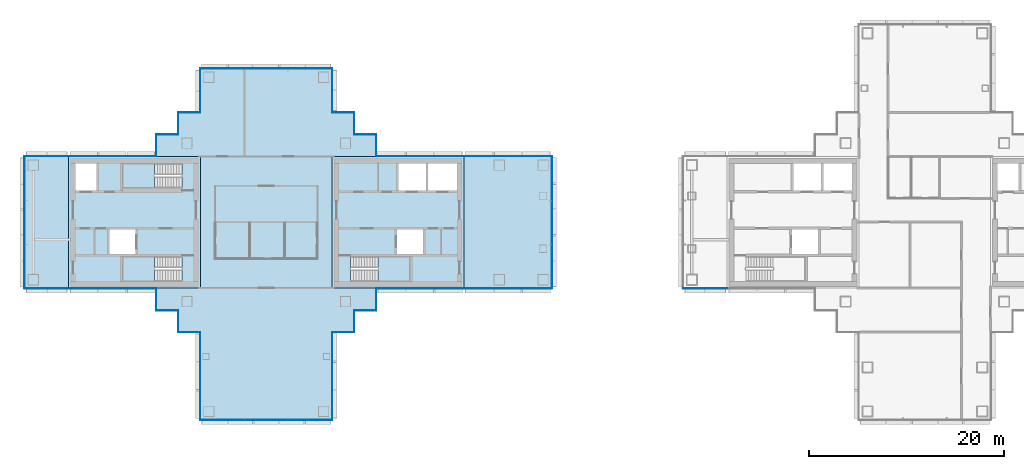
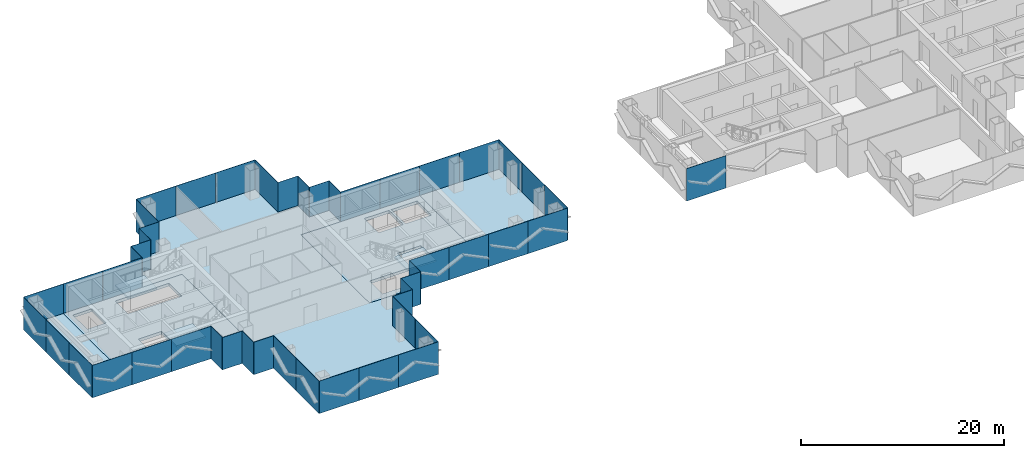
# One storey, part 7 of 16: 49 plates, 8 slabs, 24 elements without a shape of their own.
"""IFC4 building model written with IfcOpenShell, lengths in metres."""

from ifc_helpers import new_model, si_unit, direction, frame, origin, origin_2d, place, context, subcontext, project, spatial, polyline, rectangle, outline, extrude, material, layer, layer_set, type_object, element, aggregate, save


model = new_model("IFC4")

# Units and contexts
model_context = context("Model", 3, precision=1e-05, world=origin(), true_north=direction((0.0, 1.0)))
body_context = subcontext(model_context, "Body", "Model", "MODEL_VIEW")
ifc_project = project(units=[si_unit("LENGTHUNIT", "METRE"), si_unit("AREAUNIT", "SQUARE_METRE"), si_unit("VOLUMEUNIT", "CUBIC_METRE"), si_unit("PLANEANGLEUNIT", "RADIAN"), si_unit("MASSUNIT", "GRAM", prefix="KILO")], contexts=[model_context])

# Site, building, storey
site_placement = place(None, origin())
site = spatial("IfcSite", under=ifc_project, at=site_placement, CompositionType="ELEMENT")
building_placement = place(site_placement, origin())
building = spatial("IfcBuilding", under=site, at=building_placement, Name="Shamsa Quay Exchange Towers", CompositionType="ELEMENT")
storey_placement = place(building_placement, frame((0.0, 0.0, 166.199951171875)))
storey = spatial("IfcBuildingStorey", under=building, at=storey_placement, Name="L39", CompositionType="ELEMENT", Elevation=166.199951171875)

# Slabs
ifc_material_1 = material(Name="Concrete C50/60", Category="concrete")
ifc_layer_1 = layer(ifc_material_1, 0.35009765625)
ifc_layer_set_1 = layer_set([ifc_layer_1], Name="CORE FLOOR 350 C50/60")
slab_type_1 = type_object("IfcSlabType", Name="CORE FLOOR 350 C50/60", PredefinedType="FLOOR", material=ifc_layer_set_1)
slab_1_placement = place(storey_placement, frame((0.0, 0.0, -0.349853515625)))
element("IfcSlab", 1, at=slab_1_placement, inside=storey, type_object=slab_type_1, Name="Core floor T1A", PredefinedType="FLOOR", context=body_context, shape_type="SweptSolid", body=[
    extrude(outline(polyline([(-27.0, -6.75), (-13.5, -6.75), (-13.5, 6.75), (-27.0, 6.75), (-27.0, -6.75)]), holes=[polyline([(-25.099365234375, -6.050048828125), (-25.099365234375, -3.5), (-19.0, -3.5), (-19.0, -6.050048828125), (-25.099365234375, -6.050048828125)]), polyline([(-20.199951171875, 3.25), (-20.199951171875, 6.050048828125), (-17.39990234375, 6.050048828125), (-17.39990234375, 3.25), (-20.199951171875, 3.25)]), polyline([(-17.14990234375, 3.25), (-17.14990234375, 6.050048828125), (-14.199951171875, 6.050048828125), (-14.199951171875, 3.25), (-17.14990234375, 3.25)]), polyline([(-20.35009765625, -3.25), (-20.35009765625, -0.75), (-17.699951171875, -0.75), (-17.699951171875, -3.25), (-20.35009765625, -3.25)])]), origin(), (0.0, 0.0, 1.0), 0.349853515625),
])
slab_2_placement = place(storey_placement, frame((0.0, 0.0, -0.349853515625)))
element("IfcSlab", 2, at=slab_2_placement, inside=storey, type_object=slab_type_1, Name="Core floor T1B", PredefinedType="FLOOR", context=body_context, shape_type="SweptSolid", body=[
    extrude(outline(polyline([(-40.5, -6.75), (-40.5, 6.75), (-54.0, 6.75), (-54.0, -6.75), (-40.5, -6.75)]), holes=[polyline([(-42.400634765625, -3.5), (-42.400634765625, -6.050048828125), (-48.5, -6.050048828125), (-48.5, -3.5), (-42.400634765625, -3.5)]), polyline([(-42.400634765625, 6.050048828125), (-42.400634765625, 3.5), (-48.5, 3.5), (-48.5, 6.050048828125), (-42.400634765625, 6.050048828125)]), polyline([(-51.14990234375, 3.25), (-53.300048828125, 3.25), (-53.300048828125, 6.050048828125), (-51.14990234375, 6.050048828125), (-51.14990234375, 3.25)]), polyline([(-47.14990234375, -3.25), (-49.800048828125, -3.25), (-49.800048828125, -0.75), (-47.14990234375, -0.75), (-47.14990234375, -3.25)])]), origin(), (0.0, 0.0, 1.0), 0.349853515625),
])

# Stair, slab
ifc_material_2 = material(Name="Concrete C40/50", Category="concrete")
stair_type = type_object("IfcStairType", Name="EXIT STAIR 22 RISERS 177 MM", PredefinedType="HALF_TURN_STAIR", material=ifc_material_2)
stair_1_placement = place(storey_placement, origin())
stair_1 = element("IfcStair", 3, at=stair_1_placement, inside=storey, type_object=stair_type, Name="L39 Exit stair ST1", PredefinedType="HALF_TURN_STAIR")
ifc_layer_2 = layer(ifc_material_2, 0.199951171875)
ifc_layer_set_2 = layer_set([ifc_layer_2], Name="CORE STAIR LANDING")
slab_type_2 = type_object("IfcSlabType", Name="CORE STAIR LANDING", PredefinedType="LANDING", material=ifc_layer_set_2)
slab_3_placement = place(storey_placement, frame((0.0, 0.0, 1.75)))
slab_3 = element("IfcSlab", 4, at=slab_3_placement, type_object=slab_type_2, Name="ST1 landing 1", PredefinedType="LANDING", context=body_context, shape_type="SweptSolid", body=[
    extrude(outline(polyline([(-22.300048828125, -6.050048828125), (-19.0, -6.050048828125), (-19.0, -3.5), (-22.300048828125, -3.5), (-22.300048828125, -6.050048828125)])), origin(), (0.0, 0.0, 1.0), 0.199951171875),
])
aggregate(stair_1, [slab_3])

stair_2_placement = place(storey_placement, origin())
stair_2 = element("IfcStair", 5, at=stair_2_placement, inside=storey, type_object=stair_type, Name="L39 Exit stair ST2", PredefinedType="HALF_TURN_STAIR")
slab_4_placement = place(storey_placement, frame((0.0, 0.0, 1.75)))
slab_4 = element("IfcSlab", 6, at=slab_4_placement, type_object=slab_type_2, Name="ST2 landing 1", PredefinedType="LANDING", context=body_context, shape_type="SweptSolid", body=[
    extrude(outline(polyline([(-45.199951171875, -3.5), (-48.5, -3.5), (-48.5, -6.050048828125), (-45.199951171875, -6.050048828125), (-45.199951171875, -3.5)])), origin(), (0.0, 0.0, 1.0), 0.199951171875),
])
aggregate(stair_2, [slab_4])

stair_3_placement = place(storey_placement, origin())
stair_3 = element("IfcStair", 7, at=stair_3_placement, inside=storey, type_object=stair_type, Name="L39 Exit stair ST3", PredefinedType="HALF_TURN_STAIR")
slab_5_placement = place(storey_placement, frame((0.0, 0.0, 1.75)))
slab_5 = element("IfcSlab", 8, at=slab_5_placement, type_object=slab_type_2, Name="ST3 landing 1", PredefinedType="LANDING", context=body_context, shape_type="SweptSolid", body=[
    extrude(outline(polyline([(-45.199951171875, 6.050048828125), (-48.5, 6.050048828125), (-48.5, 3.5), (-45.199951171875, 3.5), (-45.199951171875, 6.050048828125)])), origin(), (0.0, 0.0, 1.0), 0.199951171875),
])
aggregate(stair_3, [slab_5])

# Curtain wall, plates
ifc_material_3 = material(Name="Aluminium EN AW-6063 T6, black anodised", Category="aluminium")
ifc_layer_3 = layer(ifc_material_3, 0.280029296875)
ifc_layer_set_3 = layer_set([ifc_layer_3], Name="CW-1 UNITISED VISION GLASS")
curtain_wall_type_1 = type_object("IfcCurtainWallType", Name="CW-1 UNITISED VISION GLASS", PredefinedType="NOTDEFINED", material=ifc_layer_set_3)
curtain_wall_1_placement = place(storey_placement, origin())
curtain_wall_1 = element("IfcCurtainWall", 9, at=curtain_wall_1_placement, inside=storey, type_object=curtain_wall_type_1, Name="CW1 T1-FLK-V-W L39", PredefinedType="NOTDEFINED")
ifc_material_4 = material(Name="Glass, laminated, dark tinted", Category="glass")
ifc_layer_4 = layer(ifc_material_4, 0.0400390625)
ifc_layer_set_4 = layer_set([ifc_layer_4], Name="CW-1 VISION GLASS 40")
plate_type_1 = type_object("IfcPlateType", Name="CW-1 VISION GLASS 40", PredefinedType="CURTAIN_PANEL", material=ifc_layer_set_4)
plate_1_placement = place(storey_placement, frame((-40.52001953125, -13.52587890625, -0.349853515625), z_axis=(0.0, 0.0, 1.0), x_axis=(0.0, -1.0, 0.0)))
plate_1 = element("IfcPlate", 10, at=plate_1_placement, type_object=plate_type_1, Name="CW1 glass panel", PredefinedType="CURTAIN_PANEL", context=body_context, shape_type="SweptSolid", body=[
    extrude(rectangle(XDim=4.47607421875, YDim=0.0400390625, at=origin_2d()), origin(), (0.0, 0.0, 1.0), 3.89990234375),
])
plate_2_placement = place(storey_placement, frame((-40.52001953125, -18.011962890625, -0.349853515625), z_axis=(0.0, 0.0, 1.0), x_axis=(0.0, -1.0, 0.0)))
plate_2 = element("IfcPlate", 11, at=plate_2_placement, type_object=plate_type_1, Name="CW1 glass panel", PredefinedType="CURTAIN_PANEL", context=body_context, shape_type="SweptSolid", body=[
    extrude(rectangle(XDim=4.47607421875, YDim=0.0400390625, at=origin_2d()), origin(), (0.0, 0.0, 1.0), 3.89990234375),
])
aggregate(curtain_wall_1, [plate_1, plate_2])

curtain_wall_2_placement = place(storey_placement, origin())
curtain_wall_2 = element("IfcCurtainWall", 12, at=curtain_wall_2_placement, inside=storey, type_object=curtain_wall_type_1, Name="CW1 T1-END-V- L39", PredefinedType="NOTDEFINED")
plate_3_placement = place(storey_placement, frame((-38.25244140625, -20.27001953125, -0.349853515625)))
plate_3 = element("IfcPlate", 13, at=plate_3_placement, type_object=plate_type_1, Name="CW1 glass panel", PredefinedType="CURTAIN_PANEL", context=body_context, shape_type="SweptSolid", body=[
    extrude(rectangle(XDim=4.4951171875, YDim=0.0400390625, at=origin_2d()), origin(), (0.0, 0.0, 1.0), 3.89990234375),
])
plate_4_placement = place(storey_placement, frame((-33.75, -20.27001953125, -0.349853515625)))
plate_4 = element("IfcPlate", 14, at=plate_4_placement, type_object=plate_type_1, Name="CW1 glass panel", PredefinedType="CURTAIN_PANEL", context=body_context, shape_type="SweptSolid", body=[
    extrude(rectangle(XDim=4.489990234375, YDim=0.0400390625, at=origin_2d()), origin(), (0.0, 0.0, 1.0), 3.89990234375),
])
plate_5_placement = place(storey_placement, frame((-29.24755859375, -20.27001953125, -0.349853515625)))
plate_5 = element("IfcPlate", 15, at=plate_5_placement, type_object=plate_type_1, Name="CW1 glass panel", PredefinedType="CURTAIN_PANEL", context=body_context, shape_type="SweptSolid", body=[
    extrude(rectangle(XDim=4.4951171875, YDim=0.0400390625, at=origin_2d()), origin(), (0.0, 0.0, 1.0), 3.89990234375),
])
aggregate(curtain_wall_2, [plate_3, plate_4, plate_5])

curtain_wall_3_placement = place(storey_placement, origin())
curtain_wall_3 = element("IfcCurtainWall", 16, at=curtain_wall_3_placement, inside=storey, type_object=curtain_wall_type_1, Name="CW1 T1-FLK-V-E L39", PredefinedType="NOTDEFINED")
plate_6_placement = place(storey_placement, frame((-26.97998046875, -18.00244140625, -0.349853515625), z_axis=(0.0, 0.0, 1.0), x_axis=(0.0, 1.0, 0.0)))
plate_6 = element("IfcPlate", 17, at=plate_6_placement, type_object=plate_type_1, Name="CW1 glass panel", PredefinedType="CURTAIN_PANEL", context=body_context, shape_type="SweptSolid", body=[
    extrude(rectangle(XDim=4.4951171875, YDim=0.0400390625, at=origin_2d()), origin(), (0.0, 0.0, 1.0), 3.89990234375),
])
plate_7_placement = place(storey_placement, frame((-26.97998046875, -13.49755859375, -0.349853515625), z_axis=(0.0, 0.0, 1.0), x_axis=(0.0, 1.0, 0.0)))
plate_7 = element("IfcPlate", 18, at=plate_7_placement, type_object=plate_type_1, Name="CW1 glass panel", PredefinedType="CURTAIN_PANEL", context=body_context, shape_type="SweptSolid", body=[
    extrude(rectangle(XDim=4.4951171875, YDim=0.0400390625, at=origin_2d()), origin(), (0.0, 0.0, 1.0), 3.89990234375),
])
aggregate(curtain_wall_3, [plate_6, plate_7])

curtain_wall_4_placement = place(storey_placement, origin())
curtain_wall_4 = element("IfcCurtainWall", 19, at=curtain_wall_4_placement, inside=storey, type_object=curtain_wall_type_1, Name="CW1 T1-FLK-U+S L39", PredefinedType="NOTDEFINED")
plate_8_placement = place(storey_placement, frame((-11.25244140625, -6.77001953125, -0.349853515625)))
plate_8 = element("IfcPlate", 20, at=plate_8_placement, type_object=plate_type_1, Name="CW1 glass panel", PredefinedType="CURTAIN_PANEL", context=body_context, shape_type="SweptSolid", body=[
    extrude(rectangle(XDim=4.4951171875, YDim=0.0400390625, at=origin_2d()), origin(), (0.0, 0.0, 1.0), 3.89990234375),
])
plate_9_placement = place(storey_placement, frame((-6.74755859375, -6.77001953125, -0.349853515625)))
plate_9 = element("IfcPlate", 21, at=plate_9_placement, type_object=plate_type_1, Name="CW1 glass panel", PredefinedType="CURTAIN_PANEL", context=body_context, shape_type="SweptSolid", body=[
    extrude(rectangle(XDim=4.4951171875, YDim=0.0400390625, at=origin_2d()), origin(), (0.0, 0.0, 1.0), 3.89990234375),
])
aggregate(curtain_wall_4, [plate_8, plate_9])

curtain_wall_5_placement = place(storey_placement, origin())
curtain_wall_5 = element("IfcCurtainWall", 22, at=curtain_wall_5_placement, inside=storey, type_object=curtain_wall_type_1, Name="CW1 T1-END-U+ L39", PredefinedType="NOTDEFINED")
plate_10_placement = place(storey_placement, frame((-4.47998046875, -4.50244140625, -0.349853515625), z_axis=(0.0, 0.0, 1.0), x_axis=(0.0, 1.0, 0.0)))
plate_10 = element("IfcPlate", 23, at=plate_10_placement, type_object=plate_type_1, Name="CW1 glass panel", PredefinedType="CURTAIN_PANEL", context=body_context, shape_type="SweptSolid", body=[
    extrude(rectangle(XDim=4.4951171875, YDim=0.0400390625, at=origin_2d()), origin(), (0.0, 0.0, 1.0), 3.89990234375),
])
plate_11_placement = place(storey_placement, frame((-4.47998046875, 0.0, -0.349853515625), z_axis=(0.0, 0.0, 1.0), x_axis=(0.0, 1.0, 0.0)))
plate_11 = element("IfcPlate", 24, at=plate_11_placement, type_object=plate_type_1, Name="CW1 glass panel", PredefinedType="CURTAIN_PANEL", context=body_context, shape_type="SweptSolid", body=[
    extrude(rectangle(XDim=4.489990234375, YDim=0.0400390625, at=origin_2d()), origin(), (0.0, 0.0, 1.0), 3.89990234375),
])
plate_12_placement = place(storey_placement, frame((-4.47998046875, 4.50244140625, -0.349853515625), z_axis=(0.0, 0.0, 1.0), x_axis=(0.0, 1.0, 0.0)))
plate_12 = element("IfcPlate", 25, at=plate_12_placement, type_object=plate_type_1, Name="CW1 glass panel", PredefinedType="CURTAIN_PANEL", context=body_context, shape_type="SweptSolid", body=[
    extrude(rectangle(XDim=4.4951171875, YDim=0.0400390625, at=origin_2d()), origin(), (0.0, 0.0, 1.0), 3.89990234375),
])
aggregate(curtain_wall_5, [plate_10, plate_11, plate_12])

curtain_wall_6_placement = place(storey_placement, origin())
curtain_wall_6 = element("IfcCurtainWall", 26, at=curtain_wall_6_placement, inside=storey, type_object=curtain_wall_type_1, Name="CW1 T1-FLK-U+N L39", PredefinedType="NOTDEFINED")
plate_13_placement = place(storey_placement, frame((-6.74755859375, 6.77001953125, -0.349853515625), z_axis=(0.0, 0.0, 1.0), x_axis=(-1.0, 0.0, 0.0)))
plate_13 = element("IfcPlate", 27, at=plate_13_placement, type_object=plate_type_1, Name="CW1 glass panel", PredefinedType="CURTAIN_PANEL", context=body_context, shape_type="SweptSolid", body=[
    extrude(rectangle(XDim=4.4951171875, YDim=0.0400390625, at=origin_2d()), origin(), (0.0, 0.0, 1.0), 3.89990234375),
])
plate_14_placement = place(storey_placement, frame((-11.25244140625, 6.77001953125, -0.349853515625), z_axis=(0.0, 0.0, 1.0), x_axis=(-1.0, 0.0, 0.0)))
plate_14 = element("IfcPlate", 28, at=plate_14_placement, type_object=plate_type_1, Name="CW1 glass panel", PredefinedType="CURTAIN_PANEL", context=body_context, shape_type="SweptSolid", body=[
    extrude(rectangle(XDim=4.4951171875, YDim=0.0400390625, at=origin_2d()), origin(), (0.0, 0.0, 1.0), 3.89990234375),
])
aggregate(curtain_wall_6, [plate_13, plate_14])

# Curtain wall, plate
curtain_wall_7_placement = place(storey_placement, origin())
curtain_wall_7 = element("IfcCurtainWall", 29, at=curtain_wall_7_placement, inside=storey, type_object=curtain_wall_type_1, Name="CW1 T1-FLK-V+E L39", PredefinedType="NOTDEFINED")
plate_15_placement = place(storey_placement, frame((-26.97998046875, 13.51904296875, -0.349853515625), z_axis=(0.0, 0.0, 1.0), x_axis=(0.0, 1.0, 0.0)))
plate_15 = element("IfcPlate", 30, at=plate_15_placement, type_object=plate_type_1, Name="CW1 glass panel", PredefinedType="CURTAIN_PANEL", context=body_context, shape_type="SweptSolid", body=[
    extrude(rectangle(XDim=4.4619140625, YDim=0.0400390625, at=origin_2d()), origin(), (0.0, 0.0, 1.0), 3.89990234375),
])
aggregate(curtain_wall_7, [plate_15])

# Curtain wall, plates
curtain_wall_8_placement = place(storey_placement, origin())
curtain_wall_8 = element("IfcCurtainWall", 31, at=curtain_wall_8_placement, inside=storey, type_object=curtain_wall_type_1, Name="CW1 T1-END-V+ L39", PredefinedType="NOTDEFINED")
plate_16_placement = place(storey_placement, frame((-29.24755859375, 15.77001953125, -0.349853515625), z_axis=(0.0, 0.0, 1.0), x_axis=(-1.0, 0.0, 0.0)))
plate_16 = element("IfcPlate", 32, at=plate_16_placement, type_object=plate_type_1, Name="CW1 glass panel", PredefinedType="CURTAIN_PANEL", context=body_context, shape_type="SweptSolid", body=[
    extrude(rectangle(XDim=4.4951171875, YDim=0.0400390625, at=origin_2d()), origin(), (0.0, 0.0, 1.0), 3.89990234375),
])
plate_17_placement = place(storey_placement, frame((-33.75, 15.77001953125, -0.349853515625), z_axis=(0.0, 0.0, 1.0), x_axis=(-1.0, 0.0, 0.0)))
plate_17 = element("IfcPlate", 33, at=plate_17_placement, type_object=plate_type_1, Name="CW1 glass panel", PredefinedType="CURTAIN_PANEL", context=body_context, shape_type="SweptSolid", body=[
    extrude(rectangle(XDim=4.489990234375, YDim=0.0400390625, at=origin_2d()), origin(), (0.0, 0.0, 1.0), 3.89990234375),
])
plate_18_placement = place(storey_placement, frame((-38.25244140625, 15.77001953125, -0.349853515625), z_axis=(0.0, 0.0, 1.0), x_axis=(-1.0, 0.0, 0.0)))
plate_18 = element("IfcPlate", 34, at=plate_18_placement, type_object=plate_type_1, Name="CW1 glass panel", PredefinedType="CURTAIN_PANEL", context=body_context, shape_type="SweptSolid", body=[
    extrude(rectangle(XDim=4.4951171875, YDim=0.0400390625, at=origin_2d()), origin(), (0.0, 0.0, 1.0), 3.89990234375),
])
aggregate(curtain_wall_8, [plate_16, plate_17, plate_18])

# Curtain wall, plate
curtain_wall_9_placement = place(storey_placement, origin())
curtain_wall_9 = element("IfcCurtainWall", 35, at=curtain_wall_9_placement, inside=storey, type_object=curtain_wall_type_1, Name="CW1 T1-FLK-V+W L39", PredefinedType="NOTDEFINED")
plate_19_placement = place(storey_placement, frame((-40.52001953125, 13.5, -0.349853515625), z_axis=(0.0, 0.0, 1.0), x_axis=(0.0, -1.0, 0.0)))
plate_19 = element("IfcPlate", 36, at=plate_19_placement, type_object=plate_type_1, Name="CW1 glass panel", PredefinedType="CURTAIN_PANEL", context=body_context, shape_type="SweptSolid", body=[
    extrude(rectangle(XDim=4.5, YDim=0.0400390625, at=origin_2d()), origin(), (0.0, 0.0, 1.0), 3.89990234375),
])
aggregate(curtain_wall_9, [plate_19])

curtain_wall_10_placement = place(storey_placement, origin())
curtain_wall_10 = element("IfcCurtainWall", 37, at=curtain_wall_10_placement, inside=storey, type_object=curtain_wall_type_1, Name="CW1 T1-FLK-U-N L39", PredefinedType="NOTDEFINED")
plate_20_placement = place(storey_placement, frame((-56.25, 6.77001953125, -0.349853515625), z_axis=(0.0, 0.0, 1.0), x_axis=(-1.0, 0.0, 0.0)))
plate_20 = element("IfcPlate", 38, at=plate_20_placement, type_object=plate_type_1, Name="CW1 glass panel", PredefinedType="CURTAIN_PANEL", context=body_context, shape_type="SweptSolid", body=[
    extrude(rectangle(XDim=4.5, YDim=0.0400390625, at=origin_2d()), origin(), (0.0, 0.0, 1.0), 3.89990234375),
])
aggregate(curtain_wall_10, [plate_20])

# Curtain wall, plates
curtain_wall_11_placement = place(storey_placement, origin())
curtain_wall_11 = element("IfcCurtainWall", 39, at=curtain_wall_11_placement, inside=storey, type_object=curtain_wall_type_1, Name="CW1 T1-END-U- L39", PredefinedType="NOTDEFINED")
plate_21_placement = place(storey_placement, frame((-58.52001953125, 4.50244140625, -0.349853515625), z_axis=(0.0, 0.0, 1.0), x_axis=(0.0, -1.0, 0.0)))
plate_21 = element("IfcPlate", 40, at=plate_21_placement, type_object=plate_type_1, Name="CW1 glass panel", PredefinedType="CURTAIN_PANEL", context=body_context, shape_type="SweptSolid", body=[
    extrude(rectangle(XDim=4.4951171875, YDim=0.0400390625, at=origin_2d()), origin(), (0.0, 0.0, 1.0), 3.89990234375),
])
plate_22_placement = place(storey_placement, frame((-58.52001953125, 0.0, -0.349853515625), z_axis=(0.0, 0.0, 1.0), x_axis=(0.0, -1.0, 0.0)))
plate_22 = element("IfcPlate", 41, at=plate_22_placement, type_object=plate_type_1, Name="CW1 glass panel", PredefinedType="CURTAIN_PANEL", context=body_context, shape_type="SweptSolid", body=[
    extrude(rectangle(XDim=4.489990234375, YDim=0.0400390625, at=origin_2d()), origin(), (0.0, 0.0, 1.0), 3.89990234375),
])
plate_23_placement = place(storey_placement, frame((-58.52001953125, -4.50244140625, -0.349853515625), z_axis=(0.0, 0.0, 1.0), x_axis=(0.0, -1.0, 0.0)))
plate_23 = element("IfcPlate", 42, at=plate_23_placement, type_object=plate_type_1, Name="CW1 glass panel", PredefinedType="CURTAIN_PANEL", context=body_context, shape_type="SweptSolid", body=[
    extrude(rectangle(XDim=4.4951171875, YDim=0.0400390625, at=origin_2d()), origin(), (0.0, 0.0, 1.0), 3.89990234375),
])
aggregate(curtain_wall_11, [plate_21, plate_22, plate_23])

# Curtain wall, plate
curtain_wall_12_placement = place(storey_placement, origin())
curtain_wall_12 = element("IfcCurtainWall", 43, at=curtain_wall_12_placement, inside=storey, type_object=curtain_wall_type_1, Name="CW1 T1-FLK-U-S L39", PredefinedType="NOTDEFINED")
plate_24_placement = place(storey_placement, frame((-56.25, -6.77001953125, -0.349853515625)))
plate_24 = element("IfcPlate", 44, at=plate_24_placement, type_object=plate_type_1, Name="CW1 glass panel", PredefinedType="CURTAIN_PANEL", context=body_context, shape_type="SweptSolid", body=[
    extrude(rectangle(XDim=4.5, YDim=0.0400390625, at=origin_2d()), origin(), (0.0, 0.0, 1.0), 3.89990234375),
])
aggregate(curtain_wall_12, [plate_24])

curtain_wall_13_placement = place(storey_placement, origin())
curtain_wall_13 = element("IfcCurtainWall", 45, at=curtain_wall_13_placement, inside=storey, type_object=curtain_wall_type_1, Name="CW1 T2-FLK-V+W L39", PredefinedType="NOTDEFINED")
plate_25_placement = place(storey_placement, frame((11.25, -6.77001953125, -0.349853515625)))
plate_25 = element("IfcPlate", 46, at=plate_25_placement, type_object=plate_type_1, Name="CW1 glass panel", PredefinedType="CURTAIN_PANEL", context=body_context, shape_type="SweptSolid", body=[
    extrude(rectangle(XDim=4.5, YDim=0.0400390625, at=origin_2d()), origin(), (0.0, 0.0, 1.0), 3.89990234375),
])
aggregate(curtain_wall_13, [plate_25])

# Curtain wall, plates
ifc_layer_5 = layer(ifc_material_3, 0.303955078125)
ifc_layer_set_5 = layer_set([ifc_layer_5], Name="CW-2 UNITISED OPAQUE SPANDREL GLASS")
curtain_wall_type_2 = type_object("IfcCurtainWallType", Name="CW-2 UNITISED OPAQUE SPANDREL GLASS", PredefinedType="NOTDEFINED", material=ifc_layer_set_5)
curtain_wall_14_placement = place(storey_placement, origin())
curtain_wall_14 = element("IfcCurtainWall", 47, at=curtain_wall_14_placement, inside=storey, type_object=curtain_wall_type_2, Name="CW2 T1-FLK-U+S L39", PredefinedType="NOTDEFINED")
ifc_material_5 = material(Name="Glass, laminated, black enamelled opaque", Category="glass")
ifc_layer_6 = layer(ifc_material_5, 0.0439453125)
ifc_layer_set_6 = layer_set([ifc_layer_6], Name="CW-2 SPANDREL GLASS 44")
plate_type_2 = type_object("IfcPlateType", Name="CW-2 SPANDREL GLASS 44", PredefinedType="CURTAIN_PANEL", material=ifc_layer_set_6)
plate_26_placement = place(storey_placement, frame((-20.22412109375, -6.77197265625, -0.349853515625)))
plate_26 = element("IfcPlate", 48, at=plate_26_placement, type_object=plate_type_2, Name="CW2 glass panel", PredefinedType="CURTAIN_PANEL", context=body_context, shape_type="SweptSolid", body=[
    extrude(rectangle(XDim=4.47607421875, YDim=0.0439453125, at=origin_2d()), origin(), (0.0, 0.0, 1.0), 3.89990234375),
])
plate_27_placement = place(storey_placement, frame((-15.738037109375, -6.77197265625, -0.349853515625)))
plate_27 = element("IfcPlate", 49, at=plate_27_placement, type_object=plate_type_2, Name="CW2 glass panel", PredefinedType="CURTAIN_PANEL", context=body_context, shape_type="SweptSolid", body=[
    extrude(rectangle(XDim=4.47607421875, YDim=0.0439453125, at=origin_2d()), origin(), (0.0, 0.0, 1.0), 3.89990234375),
])
aggregate(curtain_wall_14, [plate_26, plate_27])

curtain_wall_15_placement = place(storey_placement, origin())
curtain_wall_15 = element("IfcCurtainWall", 50, at=curtain_wall_15_placement, inside=storey, type_object=curtain_wall_type_2, Name="CW2 T1-FLK-U+N L39", PredefinedType="NOTDEFINED")
plate_28_placement = place(storey_placement, frame((-15.74755859375, 6.77197265625, -0.349853515625), z_axis=(0.0, 0.0, 1.0), x_axis=(-1.0, 0.0, 0.0)))
plate_28 = element("IfcPlate", 51, at=plate_28_placement, type_object=plate_type_2, Name="CW2 glass panel", PredefinedType="CURTAIN_PANEL", context=body_context, shape_type="SweptSolid", body=[
    extrude(rectangle(XDim=4.4951171875, YDim=0.0439453125, at=origin_2d()), origin(), (0.0, 0.0, 1.0), 3.89990234375),
])
plate_29_placement = place(storey_placement, frame((-20.25244140625, 6.77197265625, -0.349853515625), z_axis=(0.0, 0.0, 1.0), x_axis=(-1.0, 0.0, 0.0)))
plate_29 = element("IfcPlate", 52, at=plate_29_placement, type_object=plate_type_2, Name="CW2 glass panel", PredefinedType="CURTAIN_PANEL", context=body_context, shape_type="SweptSolid", body=[
    extrude(rectangle(XDim=4.4951171875, YDim=0.0439453125, at=origin_2d()), origin(), (0.0, 0.0, 1.0), 3.89990234375),
])
aggregate(curtain_wall_15, [plate_28, plate_29])

curtain_wall_16_placement = place(storey_placement, origin())
curtain_wall_16 = element("IfcCurtainWall", 53, at=curtain_wall_16_placement, inside=storey, type_object=curtain_wall_type_2, Name="CW2 T1-FLK-U-N L39", PredefinedType="NOTDEFINED")
plate_30_placement = place(storey_placement, frame((-47.27587890625, 6.77197265625, -0.349853515625), z_axis=(0.0, 0.0, 1.0), x_axis=(-1.0, 0.0, 0.0)))
plate_30 = element("IfcPlate", 54, at=plate_30_placement, type_object=plate_type_2, Name="CW2 glass panel", PredefinedType="CURTAIN_PANEL", context=body_context, shape_type="SweptSolid", body=[
    extrude(rectangle(XDim=4.47607421875, YDim=0.0439453125, at=origin_2d()), origin(), (0.0, 0.0, 1.0), 3.89990234375),
])
plate_31_placement = place(storey_placement, frame((-51.761962890625, 6.77197265625, -0.349853515625), z_axis=(0.0, 0.0, 1.0), x_axis=(-1.0, 0.0, 0.0)))
plate_31 = element("IfcPlate", 55, at=plate_31_placement, type_object=plate_type_2, Name="CW2 glass panel", PredefinedType="CURTAIN_PANEL", context=body_context, shape_type="SweptSolid", body=[
    extrude(rectangle(XDim=4.47607421875, YDim=0.0439453125, at=origin_2d()), origin(), (0.0, 0.0, 1.0), 3.89990234375),
])
aggregate(curtain_wall_16, [plate_30, plate_31])

curtain_wall_17_placement = place(storey_placement, origin())
curtain_wall_17 = element("IfcCurtainWall", 56, at=curtain_wall_17_placement, inside=storey, type_object=curtain_wall_type_2, Name="CW2 T1-FLK-U-S L39", PredefinedType="NOTDEFINED")
plate_32_placement = place(storey_placement, frame((-51.75244140625, -6.77197265625, -0.349853515625)))
plate_32 = element("IfcPlate", 57, at=plate_32_placement, type_object=plate_type_2, Name="CW2 glass panel", PredefinedType="CURTAIN_PANEL", context=body_context, shape_type="SweptSolid", body=[
    extrude(rectangle(XDim=4.4951171875, YDim=0.0439453125, at=origin_2d()), origin(), (0.0, 0.0, 1.0), 3.89990234375),
])
plate_33_placement = place(storey_placement, frame((-47.24755859375, -6.77197265625, -0.349853515625)))
plate_33 = element("IfcPlate", 58, at=plate_33_placement, type_object=plate_type_2, Name="CW2 glass panel", PredefinedType="CURTAIN_PANEL", context=body_context, shape_type="SweptSolid", body=[
    extrude(rectangle(XDim=4.4951171875, YDim=0.0439453125, at=origin_2d()), origin(), (0.0, 0.0, 1.0), 3.89990234375),
])
aggregate(curtain_wall_17, [plate_32, plate_33])

ifc_layer_7 = layer(ifc_material_3, 0.256103515625)
ifc_layer_set_7 = layer_set([ifc_layer_7], Name="CW-4 POCKET SERRATED GLAZING")
curtain_wall_type_3 = type_object("IfcCurtainWallType", Name="CW-4 POCKET SERRATED GLAZING", PredefinedType="NOTDEFINED", material=ifc_layer_set_7)
curtain_wall_18_placement = place(storey_placement, origin())
curtain_wall_18 = element("IfcCurtainWall", 59, at=curtain_wall_18_placement, inside=storey, type_object=curtain_wall_type_3, Name="CW4 PKWS L39", PredefinedType="NOTDEFINED")
ifc_layer_8 = layer(ifc_material_4, 0.035888671875)
ifc_layer_set_8 = layer_set([ifc_layer_8], Name="CW-4 POCKET GLASS 36")
plate_type_3 = type_object("IfcPlateType", Name="CW-4 POCKET GLASS 36", PredefinedType="CURTAIN_PANEL", material=ifc_layer_set_8)
plate_34_placement = place(storey_placement, frame((-42.76806640625, -10.14404296875, -0.349853515625), z_axis=(0.0, 0.0, 1.0), x_axis=(0.0, -1.0, 0.0)))
plate_34 = element("IfcPlate", 60, at=plate_34_placement, type_object=plate_type_3, Name="CW4 glass panel", PredefinedType="CURTAIN_PANEL", context=body_context, shape_type="SweptSolid", body=[
    extrude(rectangle(XDim=2.2119140625, YDim=0.035888671875, at=origin_2d()), origin(), (0.0, 0.0, 1.0), 3.89990234375),
])
plate_35_placement = place(storey_placement, frame((-41.625, -11.26806640625, -0.349853515625)))
plate_35 = element("IfcPlate", 61, at=plate_35_placement, type_object=plate_type_3, Name="CW4 glass panel", PredefinedType="CURTAIN_PANEL", context=body_context, shape_type="SweptSolid", body=[
    extrude(rectangle(XDim=2.25, YDim=0.035888671875, at=origin_2d()), origin(), (0.0, 0.0, 1.0), 3.89990234375),
])
plate_36_placement = place(storey_placement, frame((-45.01806640625, -7.89794921875, -0.349853515625), z_axis=(0.0, 0.0, 1.0), x_axis=(0.0, -1.0, 0.0)))
plate_36 = element("IfcPlate", 62, at=plate_36_placement, type_object=plate_type_3, Name="CW4 glass panel", PredefinedType="CURTAIN_PANEL", context=body_context, shape_type="SweptSolid", body=[
    extrude(rectangle(XDim=2.2041015625, YDim=0.035888671875, at=origin_2d()), origin(), (0.0, 0.0, 1.0), 3.89990234375),
])
plate_37_placement = place(storey_placement, frame((-43.875, -9.01806640625, -0.349853515625)))
plate_37 = element("IfcPlate", 63, at=plate_37_placement, type_object=plate_type_3, Name="CW4 glass panel", PredefinedType="CURTAIN_PANEL", context=body_context, shape_type="SweptSolid", body=[
    extrude(rectangle(XDim=2.25, YDim=0.035888671875, at=origin_2d()), origin(), (0.0, 0.0, 1.0), 3.89990234375),
])
aggregate(curtain_wall_18, [plate_34, plate_35, plate_36, plate_37])

curtain_wall_19_placement = place(storey_placement, origin())
curtain_wall_19 = element("IfcCurtainWall", 64, at=curtain_wall_19_placement, inside=storey, type_object=curtain_wall_type_3, Name="CW4 PKES L39", PredefinedType="NOTDEFINED")
plate_38_placement = place(storey_placement, frame((-25.85400390625, -11.26806640625, -0.349853515625)))
plate_38 = element("IfcPlate", 65, at=plate_38_placement, type_object=plate_type_3, Name="CW4 glass panel", PredefinedType="CURTAIN_PANEL", context=body_context, shape_type="SweptSolid", body=[
    extrude(rectangle(XDim=2.2080078125, YDim=0.035888671875, at=origin_2d()), origin(), (0.0, 0.0, 1.0), 3.89990234375),
])
plate_39_placement = place(storey_placement, frame((-24.73193359375, -10.125, -0.349853515625), z_axis=(0.0, 0.0, 1.0), x_axis=(0.0, 1.0, 0.0)))
plate_39 = element("IfcPlate", 66, at=plate_39_placement, type_object=plate_type_3, Name="CW4 glass panel", PredefinedType="CURTAIN_PANEL", context=body_context, shape_type="SweptSolid", body=[
    extrude(rectangle(XDim=2.25, YDim=0.035888671875, at=origin_2d()), origin(), (0.0, 0.0, 1.0), 3.89990234375),
])
plate_40_placement = place(storey_placement, frame((-23.60595703125, -9.01806640625, -0.349853515625)))
plate_40 = element("IfcPlate", 67, at=plate_40_placement, type_object=plate_type_3, Name="CW4 glass panel", PredefinedType="CURTAIN_PANEL", context=body_context, shape_type="SweptSolid", body=[
    extrude(rectangle(XDim=2.2119140625, YDim=0.035888671875, at=origin_2d()), origin(), (0.0, 0.0, 1.0), 3.89990234375),
])
plate_41_placement = place(storey_placement, frame((-22.48193359375, -7.875, -0.349853515625), z_axis=(0.0, 0.0, 1.0), x_axis=(0.0, 1.0, 0.0)))
plate_41 = element("IfcPlate", 68, at=plate_41_placement, type_object=plate_type_3, Name="CW4 glass panel", PredefinedType="CURTAIN_PANEL", context=body_context, shape_type="SweptSolid", body=[
    extrude(rectangle(XDim=2.25, YDim=0.035888671875, at=origin_2d()), origin(), (0.0, 0.0, 1.0), 3.89990234375),
])
aggregate(curtain_wall_19, [plate_38, plate_39, plate_40, plate_41])

curtain_wall_20_placement = place(storey_placement, origin())
curtain_wall_20 = element("IfcCurtainWall", 69, at=curtain_wall_20_placement, inside=storey, type_object=curtain_wall_type_3, Name="CW4 PKEN L39", PredefinedType="NOTDEFINED")
plate_42_placement = place(storey_placement, frame((-22.48193359375, 7.89794921875, -0.349853515625), z_axis=(0.0, 0.0, 1.0), x_axis=(0.0, 1.0, 0.0)))
plate_42 = element("IfcPlate", 70, at=plate_42_placement, type_object=plate_type_3, Name="CW4 glass panel", PredefinedType="CURTAIN_PANEL", context=body_context, shape_type="SweptSolid", body=[
    extrude(rectangle(XDim=2.2041015625, YDim=0.035888671875, at=origin_2d()), origin(), (0.0, 0.0, 1.0), 3.89990234375),
])
plate_43_placement = place(storey_placement, frame((-23.625, 9.01806640625, -0.349853515625), z_axis=(0.0, 0.0, 1.0), x_axis=(-1.0, 0.0, 0.0)))
plate_43 = element("IfcPlate", 71, at=plate_43_placement, type_object=plate_type_3, Name="CW4 glass panel", PredefinedType="CURTAIN_PANEL", context=body_context, shape_type="SweptSolid", body=[
    extrude(rectangle(XDim=2.25, YDim=0.035888671875, at=origin_2d()), origin(), (0.0, 0.0, 1.0), 3.89990234375),
])
plate_44_placement = place(storey_placement, frame((-24.73193359375, 10.14404296875, -0.349853515625), z_axis=(0.0, 0.0, 1.0), x_axis=(0.0, 1.0, 0.0)))
plate_44 = element("IfcPlate", 72, at=plate_44_placement, type_object=plate_type_3, Name="CW4 glass panel", PredefinedType="CURTAIN_PANEL", context=body_context, shape_type="SweptSolid", body=[
    extrude(rectangle(XDim=2.2119140625, YDim=0.035888671875, at=origin_2d()), origin(), (0.0, 0.0, 1.0), 3.89990234375),
])
plate_45_placement = place(storey_placement, frame((-25.875, 11.26806640625, -0.349853515625), z_axis=(0.0, 0.0, 1.0), x_axis=(-1.0, 0.0, 0.0)))
plate_45 = element("IfcPlate", 73, at=plate_45_placement, type_object=plate_type_3, Name="CW4 glass panel", PredefinedType="CURTAIN_PANEL", context=body_context, shape_type="SweptSolid", body=[
    extrude(rectangle(XDim=2.25, YDim=0.035888671875, at=origin_2d()), origin(), (0.0, 0.0, 1.0), 3.89990234375),
])
aggregate(curtain_wall_20, [plate_42, plate_43, plate_44, plate_45])

curtain_wall_21_placement = place(storey_placement, origin())
curtain_wall_21 = element("IfcCurtainWall", 74, at=curtain_wall_21_placement, inside=storey, type_object=curtain_wall_type_3, Name="CW4 PKWN L39", PredefinedType="NOTDEFINED")
plate_46_placement = place(storey_placement, frame((-41.64599609375, 11.26806640625, -0.349853515625), z_axis=(0.0, 0.0, 1.0), x_axis=(-1.0, 0.0, 0.0)))
plate_46 = element("IfcPlate", 75, at=plate_46_placement, type_object=plate_type_3, Name="CW4 glass panel", PredefinedType="CURTAIN_PANEL", context=body_context, shape_type="SweptSolid", body=[
    extrude(rectangle(XDim=2.2080078125, YDim=0.035888671875, at=origin_2d()), origin(), (0.0, 0.0, 1.0), 3.89990234375),
])
plate_47_placement = place(storey_placement, frame((-42.76806640625, 10.125, -0.349853515625), z_axis=(0.0, 0.0, 1.0), x_axis=(0.0, -1.0, 0.0)))
plate_47 = element("IfcPlate", 76, at=plate_47_placement, type_object=plate_type_3, Name="CW4 glass panel", PredefinedType="CURTAIN_PANEL", context=body_context, shape_type="SweptSolid", body=[
    extrude(rectangle(XDim=2.25, YDim=0.035888671875, at=origin_2d()), origin(), (0.0, 0.0, 1.0), 3.89990234375),
])
plate_48_placement = place(storey_placement, frame((-43.89404296875, 9.01806640625, -0.349853515625), z_axis=(0.0, 0.0, 1.0), x_axis=(-1.0, 0.0, 0.0)))
plate_48 = element("IfcPlate", 77, at=plate_48_placement, type_object=plate_type_3, Name="CW4 glass panel", PredefinedType="CURTAIN_PANEL", context=body_context, shape_type="SweptSolid", body=[
    extrude(rectangle(XDim=2.2119140625, YDim=0.035888671875, at=origin_2d()), origin(), (0.0, 0.0, 1.0), 3.89990234375),
])
plate_49_placement = place(storey_placement, frame((-45.01806640625, 7.875, -0.349853515625), z_axis=(0.0, 0.0, 1.0), x_axis=(0.0, -1.0, 0.0)))
plate_49 = element("IfcPlate", 78, at=plate_49_placement, type_object=plate_type_3, Name="CW4 glass panel", PredefinedType="CURTAIN_PANEL", context=body_context, shape_type="SweptSolid", body=[
    extrude(rectangle(XDim=2.25, YDim=0.035888671875, at=origin_2d()), origin(), (0.0, 0.0, 1.0), 3.89990234375),
])
aggregate(curtain_wall_21, [plate_46, plate_47, plate_48, plate_49])

# Slabs
ifc_layer_9 = layer(ifc_material_2, 0.35009765625)
ifc_layer_set_9 = layer_set([ifc_layer_9], Name="Flat slab 350")
slab_type_3 = type_object("IfcSlabType", Name="Flat slab 350", PredefinedType="FLOOR", material=ifc_layer_set_9)
slab_6_placement = place(storey_placement, frame((0.0, 0.0, -0.349853515625)))
element("IfcSlab", 79, at=slab_6_placement, inside=storey, type_object=slab_type_3, Name="Flat slab T1 L39 1", PredefinedType="FLOOR", context=body_context, shape_type="SweptSolid", body=[
    extrude(outline(polyline([(-58.5, -6.75), (-54.0, -6.75), (-54.0, 6.75), (-58.5, 6.75), (-58.5, -6.75)])), origin(), (0.0, 0.0, 1.0), 0.349853515625),
])
slab_7_placement = place(storey_placement, frame((0.0, 0.0, -0.349853515625)))
element("IfcSlab", 80, at=slab_7_placement, inside=storey, type_object=slab_type_3, Name="Flat slab T1 L39 2", PredefinedType="FLOOR", context=body_context, shape_type="SweptSolid", body=[
    extrude(outline(polyline([(-22.5, -9.0), (-22.5, -6.75), (-27.0, -6.75), (-27.0, 6.75), (-22.5, 6.75), (-22.5, 9.0), (-24.75, 9.0), (-24.75, 11.25), (-27.0, 11.25), (-27.0, 15.75), (-40.5, 15.75), (-40.5, 11.25), (-42.75, 11.25), (-42.75, 9.0), (-45.0, 9.0), (-45.0, 6.75), (-40.5, 6.75), (-40.5, -6.75), (-45.0, -6.75), (-45.0, -9.0), (-42.75, -9.0), (-42.75, -11.25), (-40.5, -11.25), (-40.5, -20.25), (-27.0, -20.25), (-27.0, -11.25), (-24.75, -11.25), (-24.75, -9.0), (-22.5, -9.0)])), origin(), (0.0, 0.0, 1.0), 0.349853515625),
])
slab_8_placement = place(storey_placement, frame((0.0, 0.0, -0.349853515625)))
element("IfcSlab", 81, at=slab_8_placement, inside=storey, type_object=slab_type_3, Name="Flat slab T1 L39 3", PredefinedType="FLOOR", context=body_context, shape_type="SweptSolid", body=[
    extrude(outline(polyline([(-4.5, 6.75), (-13.5, 6.75), (-13.5, -6.75), (-4.5, -6.75), (-4.5, 6.75)])), origin(), (0.0, 0.0, 1.0), 0.349853515625),
])

save(model, "model.ifc")
